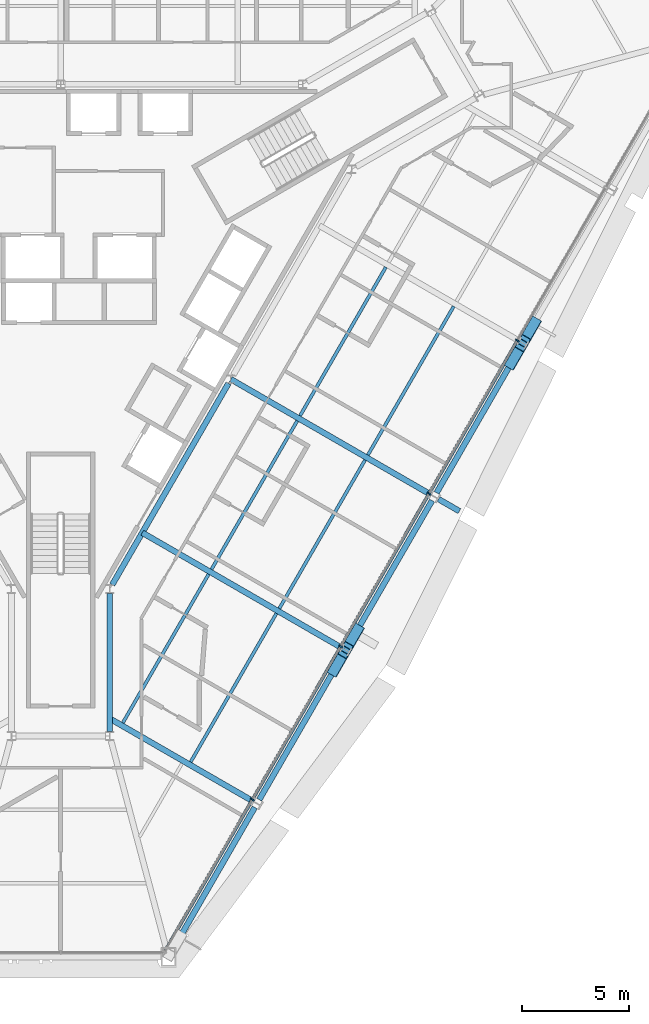
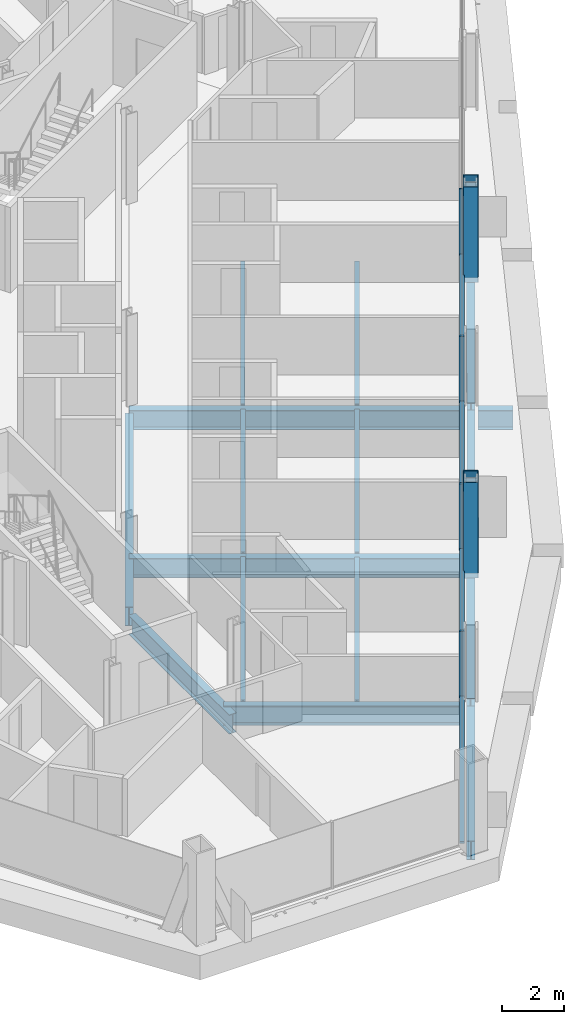
# One storey, part 5 of 17: 16 beams, 12 members, 1 element without a shape of its own.
"""IFC4 building model written with IfcOpenShell, lengths in metres."""

from ifc_helpers import new_model, si_unit, direction, frame, origin, origin_2d, place, context, subcontext, project, spatial, rectangle, hollow_rectangle, i_section, extrude, material, material_profile, profile_set, type_object, element, aggregate, save


model = new_model("IFC4")

# Units and contexts
model_context = context("Model", 3, precision=1e-05, world=origin(), true_north=direction((0.0, 1.0)))
body_context = subcontext(model_context, "Body", "Model", "MODEL_VIEW")
ifc_project = project(units=[si_unit("LENGTHUNIT", "METRE"), si_unit("AREAUNIT", "SQUARE_METRE"), si_unit("VOLUMEUNIT", "CUBIC_METRE"), si_unit("PLANEANGLEUNIT", "RADIAN"), si_unit("MASSUNIT", "GRAM", prefix="KILO")], contexts=[model_context])

# Site, building, storey
site_placement = place(None, origin())
site = spatial("IfcSite", under=ifc_project, at=site_placement, CompositionType="ELEMENT")
building_placement = place(site_placement, origin())
building = spatial("IfcBuilding", under=site, at=building_placement, Name="Verrane Prism Tower", CompositionType="ELEMENT")
storey_placement = place(building_placement, frame((0.0, 0.0, 139.60009765625)))
storey = spatial("IfcBuildingStorey", under=building, at=storey_placement, Name="L34", CompositionType="ELEMENT", Elevation=139.60009765625)

# Beams
ifc_material_1 = material(Name="Steel A992", Category="steel")
ifc_material_profile_1 = material_profile(ifc_material_1, i_section(OverallWidth=0.2666015625, OverallDepth=0.7568359375, WebThickness=0.013916015625, FlangeThickness=0.019287109375, FilletRadius=0.0166015625, at=origin_2d()), Name="W30x108")
ifc_profile_set_1 = profile_set([ifc_material_profile_1], Name="Steel A992")
beam_type_1 = type_object("IfcBeamType", Name="Core ring girder W30x108", PredefinedType="BEAM", material=ifc_profile_set_1)
beam_1_placement = place(storey_placement, frame((2.300048828125, -21.082763671875, -0.628662109375), z_axis=(0.0, 1.0, 0.0), x_axis=(-1.0, 0.0, 0.0)))
element("IfcBeam", 1, at=beam_1_placement, inside=storey, type_object=beam_type_1, Name="Core ring girder L34", PredefinedType="BEAM", context=body_context, shape_type="SweptSolid", body=[
    extrude(i_section(OverallWidth=0.2666015625, OverallDepth=0.7568359375, WebThickness=0.013916015625, FlangeThickness=0.019287109375, FilletRadius=0.0166015625, at=origin_2d()), origin(), (0.0, 0.0, 1.0), 6.46337890625),
])
beam_2_placement = place(storey_placement, frame((2.4150390625, -14.220703125, -0.628662109375), z_axis=(0.500034555306, 0.86600545235, 0.0), x_axis=(-0.86600545235, 0.500034555306, 0.0)))
element("IfcBeam", 2, at=beam_2_placement, inside=storey, type_object=beam_type_1, Name="Core ring girder L34", PredefinedType="BEAM", context=body_context, shape_type="SweptSolid", body=[
    extrude(i_section(OverallWidth=0.2666015625, OverallDepth=0.7568359375, WebThickness=0.013916015625, FlangeThickness=0.019287109375, FilletRadius=0.0166015625, at=origin_2d()), origin(), (0.0, 0.0, 1.0), 10.879150390625),
])

# Members
ifc_material_2 = material(Name="Steel A1085 Grade A", Category="steel")
ifc_material_profile_2 = material_profile(ifc_material_2, hollow_rectangle(XDim=0.508056640625, YDim=0.508056640625, WallThickness=0.025390625, InnerFilletRadius=0.0126953125, OuterFilletRadius=0.0380859375, at=origin_2d()), Name="HSS20x20x1")
ifc_profile_set_2 = profile_set([ifc_material_profile_2], Name="Steel A1085 Grade A")
member_type_1 = type_object("IfcMemberType", Name="Facade brace HSS20x20x1", PredefinedType="BRACE", material=ifc_profile_set_2)
member_1_placement = place(storey_placement, frame((12.794921875, -18.223388671875, -0.24267578125), z_axis=(0.152439385191, 0.265480917351, 0.951988506425), x_axis=(-0.867205599287, 0.497950247079, 0.0)))
element("IfcMember", 3, at=member_1_placement, inside=storey, type_object=member_type_1, Name="Facade brace SE1 L34", PredefinedType="BRACE", context=body_context, shape_type="SweptSolid", body=[
    extrude(hollow_rectangle(XDim=0.508056640625, YDim=0.508056640625, WallThickness=0.025390625, InnerFilletRadius=0.0126953125, OuterFilletRadius=0.0380859375, at=origin_2d()), origin(), (0.0, 0.0, 1.0), 3.222412109375),
])
for number, where, z_axis, x_axis, name in (
    (4, (13.885498046875, -16.336181640625, -0.24267578125), (-0.153191260011, -0.26347987125, 0.952423642767), (0.864499647016, -0.50263342538, 0.0), "Facade brace SE2 L34"),
    (5, (21.085693359375, -3.85498046875, -0.24267578125), (0.15287987781, 0.263844746979, 0.952372664692), (-0.865244706147, 0.501349776587, 0.0), "Facade brace SE3 L34"),
):
    element("IfcMember", number, at=place(storey_placement, frame(where, z_axis=z_axis, x_axis=x_axis)), inside=storey, type_object=member_type_1, Name=name, PredefinedType="BRACE", context=body_context, shape_type="SweptSolid", body=[
        extrude(hollow_rectangle(XDim=0.508056640625, YDim=0.508056640625, WallThickness=0.025390625, InnerFilletRadius=0.0126953125, OuterFilletRadius=0.0380859375, at=origin_2d()), origin(), (0.0, 0.0, 1.0), 3.220947265625),
    ])
member_2_placement = place(storey_placement, frame((22.17529296875, -1.966796875, -0.24267578125), z_axis=(-0.152516455666, -0.265407423844, 0.951996654469), x_axis=(0.867037295615, -0.498243241814, 0.0)))
element("IfcMember", 6, at=member_2_placement, inside=storey, type_object=member_type_1, Name="Facade brace SE4 L34", PredefinedType="BRACE", context=body_context, shape_type="SweptSolid", body=[
    extrude(hollow_rectangle(XDim=0.508056640625, YDim=0.508056640625, WallThickness=0.025390625, InnerFilletRadius=0.0126953125, OuterFilletRadius=0.0380859375, at=origin_2d()), origin(), (0.0, 0.0, 1.0), 3.222412109375),
])

# Beams
ifc_material_3 = material(Name="Steel A992", Category="steel")
ifc_material_profile_3 = material_profile(ifc_material_3, i_section(OverallWidth=0.15234375, OverallDepth=0.449462890625, WebThickness=0.007568359375, FlangeThickness=0.0107421875, FilletRadius=0.01025390625, at=origin_2d()), Name="W18x35")
ifc_profile_set_3 = profile_set([ifc_material_profile_3], Name="Steel A992")
beam_type_2 = type_object("IfcBeamType", Name="Floor beam W18x35", PredefinedType="BEAM", material=ifc_profile_set_3)
beam_3_placement = place(storey_placement, frame((6.0869140625, -22.51318359375, -0.385009765625), z_axis=(0.499983128917, 0.86603514409, 0.0), x_axis=(-0.86603514409, 0.499983128917, 0.0)))
element("IfcBeam", 7, at=beam_3_placement, inside=storey, type_object=beam_type_2, Name="Floor beam L34", PredefinedType="BEAM", context=body_context, shape_type="SweptSolid", body=[
    extrude(i_section(OverallWidth=0.15234375, OverallDepth=0.449462890625, WebThickness=0.007568359375, FlangeThickness=0.0107421875, FilletRadius=0.01025390625, at=origin_2d()), origin(), (0.0, 0.0, 1.0), 8.026123046875),
])
for number, where, z_axis, x_axis, name in (
    (8, (2.913330078125, -20.68017578125, -0.385009765625), (0.499992771462, 0.866029577143, 0.0), (-0.866029577143, 0.499992771462, 0.0), "Floor beam L34"),
    (9, (10.235595703125, -15.33251953125, -0.385009765625), (0.500005942522, 0.86602197284, 0.0), (-0.86602197284, 0.500005942522, 0.0), "Floor beam L34"),
):
    element("IfcBeam", number, at=place(storey_placement, frame(where, z_axis=z_axis, x_axis=x_axis)), inside=storey, type_object=beam_type_2, Name=name, PredefinedType="BEAM", context=body_context, shape_type="SweptSolid", body=[
        extrude(i_section(OverallWidth=0.15234375, OverallDepth=0.449462890625, WebThickness=0.007568359375, FlangeThickness=0.0107421875, FilletRadius=0.01025390625, at=origin_2d()), origin(), (0.0, 0.0, 1.0), 8.0263671875),
    ])
beam_4_placement = place(storey_placement, frame((7.061279296875, -13.498291015625, -0.385009765625), z_axis=(0.499996300355, 0.866027539765, 0.0), x_axis=(-0.866027539765, 0.499996300355, 0.0)))
element("IfcBeam", 10, at=beam_4_placement, inside=storey, type_object=beam_type_2, Name="Floor beam L34", PredefinedType="BEAM", context=body_context, shape_type="SweptSolid", body=[
    extrude(i_section(OverallWidth=0.15234375, OverallDepth=0.449462890625, WebThickness=0.007568359375, FlangeThickness=0.0107421875, FilletRadius=0.01025390625, at=origin_2d()), origin(), (0.0, 0.0, 1.0), 8.02587890625),
])
for number, where, z_axis, x_axis, name in (
    (11, (14.380615234375, -8.1494140625, -0.385009765625), (0.500007577232, 0.866021029023, 0.0), (-0.866021029023, 0.500007577232, 0.0), "Floor beam L34"),
    (12, (11.20458984375, -6.314453125, -0.385009765625), (0.500007577232, 0.866021029023, 0.0), (-0.866021029023, 0.500007577232, 0.0), "Floor beam L34"),
):
    element("IfcBeam", number, at=place(storey_placement, frame(where, z_axis=z_axis, x_axis=x_axis)), inside=storey, type_object=beam_type_2, Name=name, PredefinedType="BEAM", context=body_context, shape_type="SweptSolid", body=[
        extrude(i_section(OverallWidth=0.15234375, OverallDepth=0.449462890625, WebThickness=0.007568359375, FlangeThickness=0.0107421875, FilletRadius=0.01025390625, at=origin_2d()), origin(), (0.0, 0.0, 1.0), 8.02978515625),
    ])

# Curtain wall, members
ifc_material_4 = material(Name="Aluminium framed insulated glazing", Category="aluminium")
curtain_wall_type = type_object("IfcCurtainWallType", Name="Curtain wall CW-A 8400 module", PredefinedType="NOTDEFINED", material=ifc_material_4)
curtain_wall_placement = place(storey_placement, origin())
curtain_wall = element("IfcCurtainWall", 13, at=curtain_wall_placement, inside=storey, type_object=curtain_wall_type, Name="Glazed curtain wall south-east face L34", PredefinedType="NOTDEFINED")
ifc_material_5 = material(Name="Aluminium alloy 6063-T6", Category="aluminium")
ifc_material_profile_4 = material_profile(ifc_material_5, rectangle(XDim=0.199951171875, YDim=0.070068359375, at=origin_2d()), Name="Mullion 70x200 aluminium")
ifc_profile_set_4 = profile_set([ifc_material_profile_4], Name="Aluminium alloy 6063-T6")
member_type_2 = type_object("IfcMemberType", Name="Mullion 70x200 aluminium", PredefinedType="MULLION", material=ifc_profile_set_4)
member_3_placement = place(storey_placement, frame((8.975830078125, -24.275390625, 0.0), z_axis=(0.0, 0.0, 1.0), x_axis=(-0.866025120648, 0.500000490406, 0.0)))
member_3 = element("IfcMember", 14, at=member_3_placement, type_object=member_type_2, Name="CW32.6 mullion 2", PredefinedType="MULLION", context=body_context, shape_type="SweptSolid", body=[
    extrude(rectangle(XDim=0.199951171875, YDim=0.070068359375, at=origin_2d()), origin(), (0.0, 0.0, 1.0), 2.61279296875),
])
member_4_placement = place(storey_placement, frame((13.109619140625, -17.115478515625, 0.0), z_axis=(0.0, 0.0, 1.0), x_axis=(-0.866025120648, 0.500000490406, 0.0)))
member_4 = element("IfcMember", 15, at=member_4_placement, type_object=member_type_2, Name="CW32.6 mullion 3", PredefinedType="MULLION", context=body_context, shape_type="SweptSolid", body=[
    extrude(rectangle(XDim=0.199951171875, YDim=0.070068359375, at=origin_2d()), origin(), (0.0, 0.0, 1.0), 2.61279296875),
])
member_5_placement = place(storey_placement, frame((17.243408203125, -9.95556640625, 0.0), z_axis=(0.0, 0.0, 1.0), x_axis=(-0.866025120648, 0.500000490406, 0.0)))
member_5 = element("IfcMember", 16, at=member_5_placement, type_object=member_type_2, Name="CW32.6 mullion 4", PredefinedType="MULLION", context=body_context, shape_type="SweptSolid", body=[
    extrude(rectangle(XDim=0.199951171875, YDim=0.070068359375, at=origin_2d()), origin(), (0.0, 0.0, 1.0), 2.61279296875),
])
member_6_placement = place(storey_placement, frame((21.377197265625, -2.79541015625, 0.0), z_axis=(0.0, 0.0, 1.0), x_axis=(-0.866025120648, 0.500000490406, 0.0)))
member_6 = element("IfcMember", 17, at=member_6_placement, type_object=member_type_2, Name="CW32.6 mullion 5", PredefinedType="MULLION", context=body_context, shape_type="SweptSolid", body=[
    extrude(rectangle(XDim=0.199951171875, YDim=0.070068359375, at=origin_2d()), origin(), (0.0, 0.0, 1.0), 2.61279296875),
])

# Beams
ifc_material_6 = material(Name="Steel A992", Category="steel")
ifc_material_profile_5 = material_profile(ifc_material_6, i_section(OverallWidth=0.2666015625, OverallDepth=0.76708984375, WebThickness=0.014892578125, FlangeThickness=0.023681640625, FilletRadius=0.0166015625, at=origin_2d()), Name="W30x124")
ifc_profile_set_5 = profile_set([ifc_material_profile_5], Name="Steel A992")
beam_type_3 = type_object("IfcBeamType", Name="Radial girder W30x124", PredefinedType="BEAM", material=ifc_profile_set_5)
beam_5_placement = place(storey_placement, frame((8.9931640625, -24.34619140625, -0.603515625), z_axis=(-0.866039870605, 0.499974941895, 0.0), x_axis=(-0.499974941895, -0.866039870605, 0.0)))
element("IfcBeam", 18, at=beam_5_placement, inside=storey, type_object=beam_type_3, Name="Radial girder L34", PredefinedType="BEAM", context=body_context, shape_type="SweptSolid", body=[
    extrude(i_section(OverallWidth=0.2666015625, OverallDepth=0.76708984375, WebThickness=0.014892578125, FlangeThickness=0.023681640625, FilletRadius=0.0166015625, at=origin_2d()), origin(), (0.0, 0.0, 1.0), 7.728515625),
])
beam_6_placement = place(storey_placement, frame((13.14306640625, -17.166259765625, -0.603515625), z_axis=(-0.86602769501, 0.499996031459, 0.0), x_axis=(-0.499996031459, -0.86602769501, 0.0)))
element("IfcBeam", 19, at=beam_6_placement, inside=storey, type_object=beam_type_3, Name="Radial girder L34", PredefinedType="BEAM", context=body_context, shape_type="SweptSolid", body=[
    extrude(i_section(OverallWidth=0.2666015625, OverallDepth=0.76708984375, WebThickness=0.014892578125, FlangeThickness=0.023681640625, FilletRadius=0.0166015625, at=origin_2d()), origin(), (0.0, 0.0, 1.0), 10.76318359375),
])
beam_7_placement = place(storey_placement, frame((17.293212890625, -9.986328125, -0.603515625), z_axis=(-0.866028508142, 0.499994623057, 0.0), x_axis=(-0.499994623057, -0.866028508142, 0.0)))
element("IfcBeam", 20, at=beam_7_placement, inside=storey, type_object=beam_type_3, Name="Radial girder L34", PredefinedType="BEAM", context=body_context, shape_type="SweptSolid", body=[
    extrude(i_section(OverallWidth=0.2666015625, OverallDepth=0.76708984375, WebThickness=0.014892578125, FlangeThickness=0.023681640625, FilletRadius=0.0166015625, at=origin_2d()), origin(), (0.0, 0.0, 1.0), 10.76708984375),
])
beam_8_placement = place(storey_placement, frame((17.683349609375, -10.211669921875, -0.603515625), z_axis=(0.866031132047, -0.499990078228, 0.0), x_axis=(0.499990078228, 0.866031132047, 0.0)))
element("IfcBeam", 21, at=beam_8_placement, inside=storey, type_object=beam_type_3, Name="Cantilever girder L34", PredefinedType="BEAM", context=body_context, shape_type="SweptSolid", body=[
    extrude(i_section(OverallWidth=0.2666015625, OverallDepth=0.76708984375, WebThickness=0.014892578125, FlangeThickness=0.023681640625, FilletRadius=0.0166015625, at=origin_2d()), origin(), (0.0, 0.0, 1.0), 1.1318359375),
])
ifc_material_7 = material(Name="Steel A992", Category="steel")
ifc_material_profile_6 = material_profile(ifc_material_7, i_section(OverallWidth=0.2666015625, OverallDepth=0.7568359375, WebThickness=0.013916015625, FlangeThickness=0.019287109375, FilletRadius=0.0166015625, at=origin_2d()), Name="W30x108")
ifc_profile_set_6 = profile_set([ifc_material_profile_6], Name="Steel A992")
beam_type_4 = type_object("IfcBeamType", Name="Spandrel beam W30x108", PredefinedType="SPANDREL", material=ifc_profile_set_6)
beam_9_placement = place(storey_placement, frame((5.3095703125, -31.18994140625, -0.53857421875), z_axis=(0.499498748006, 0.866314608408, 0.0), x_axis=(-0.866314608408, 0.499498748006, 0.0)))
element("IfcBeam", 22, at=beam_9_placement, inside=storey, type_object=beam_type_4, Name="Spandrel beam L34", PredefinedType="SPANDREL", context=body_context, shape_type="SweptSolid", body=[
    extrude(i_section(OverallWidth=0.2666015625, OverallDepth=0.7568359375, WebThickness=0.013916015625, FlangeThickness=0.019287109375, FilletRadius=0.0166015625, at=origin_2d()), origin(), (0.0, 0.0, 1.0), 7.558837890625),
])
for number, where, z_axis, x_axis, name in (
    (23, (9.294921875, -24.278564453125, -0.53857421875), (0.500410353056, 0.865788356675, 0.0), (-0.865788356675, 0.500410353056, 0.0), "Spandrel beam L34"),
    (24, (13.44482421875, -17.0986328125, -0.53857421875), (0.500410353056, 0.865788356675, 0.0), (-0.865788356675, 0.500410353056, 0.0), "Spandrel beam L34"),
):
    element("IfcBeam", number, at=place(storey_placement, frame(where, z_axis=z_axis, x_axis=x_axis)), inside=storey, type_object=beam_type_4, Name=name, PredefinedType="SPANDREL", context=body_context, shape_type="SweptSolid", body=[
        extrude(i_section(OverallWidth=0.2666015625, OverallDepth=0.7568359375, WebThickness=0.013916015625, FlangeThickness=0.019287109375, FilletRadius=0.0166015625, at=origin_2d()), origin(), (0.0, 0.0, 1.0), 7.8740234375),
    ])
beam_10_placement = place(storey_placement, frame((17.594482421875, -9.91845703125, -0.53857421875), z_axis=(0.49898983609, 0.86660783719, 0.0), x_axis=(-0.86660783719, 0.49898983609, 0.0)))
element("IfcBeam", 25, at=beam_10_placement, inside=storey, type_object=beam_type_4, Name="Spandrel beam L34", PredefinedType="SPANDREL", context=body_context, shape_type="SweptSolid", body=[
    extrude(i_section(OverallWidth=0.2666015625, OverallDepth=0.7568359375, WebThickness=0.013916015625, FlangeThickness=0.019287109375, FilletRadius=0.0166015625, at=origin_2d()), origin(), (0.0, 0.0, 1.0), 7.877685546875),
])

# Member
ifc_material_8 = material(Name="Aluminium alloy 6063-T6", Category="aluminium")
ifc_material_profile_7 = material_profile(ifc_material_8, rectangle(XDim=0.14990234375, YDim=0.070068359375, at=origin_2d()), Name="Transom 70x150 aluminium")
ifc_profile_set_7 = profile_set([ifc_material_profile_7], Name="Aluminium alloy 6063-T6")
member_type_3 = type_object("IfcMemberType", Name="Transom 70x150 aluminium", PredefinedType="USERDEFINED", material=ifc_profile_set_7)
member_7_placement = place(storey_placement, frame((4.876953125, -31.375, 0.034912109375), z_axis=(0.499996028522, 0.866027696706, 0.0), x_axis=(-0.866027696706, 0.499996028522, 0.0)))
member_7 = element("IfcMember", 26, at=member_7_placement, type_object=member_type_3, Name="CW32.6 transom 1", ObjectType="TRANSOM", PredefinedType="USERDEFINED", context=body_context, shape_type="SweptSolid", body=[
    extrude(rectangle(XDim=0.14990234375, YDim=0.070068359375, at=origin_2d()), origin(), (0.0, 0.0, 1.0), 8.16259765625),
])

member_8_placement = place(storey_placement, frame((8.9931640625, -24.2451171875, 0.034912109375), z_axis=(0.500005171338, 0.866022418091, 0.0), x_axis=(-0.866022418091, 0.500005171338, 0.0)))
member_8 = element("IfcMember", 27, at=member_8_placement, type_object=member_type_3, Name="CW32.6 transom 2", ObjectType="TRANSOM", PredefinedType="USERDEFINED", context=body_context, shape_type="SweptSolid", body=[
    extrude(rectangle(XDim=0.14990234375, YDim=0.070068359375, at=origin_2d()), origin(), (0.0, 0.0, 1.0), 8.19775390625),
])

member_9_placement = place(storey_placement, frame((13.126953125, -17.085205078125, 0.034912109375), z_axis=(0.500005171338, 0.866022418091, 0.0), x_axis=(-0.866022418091, 0.500005171338, 0.0)))
member_9 = element("IfcMember", 28, at=member_9_placement, type_object=member_type_3, Name="CW32.6 transom 3", ObjectType="TRANSOM", PredefinedType="USERDEFINED", context=body_context, shape_type="SweptSolid", body=[
    extrude(rectangle(XDim=0.14990234375, YDim=0.070068359375, at=origin_2d()), origin(), (0.0, 0.0, 1.0), 8.19775390625),
])

member_10_placement = place(storey_placement, frame((17.260986328125, -9.92529296875, 0.034912109375), z_axis=(0.499982834708, 0.866035313943, 0.0), x_axis=(-0.866035313943, 0.499982834708, 0.0)))
member_10 = element("IfcMember", 29, at=member_10_placement, type_object=member_type_3, Name="CW32.6 transom 4", ObjectType="TRANSOM", PredefinedType="USERDEFINED", context=body_context, shape_type="SweptSolid", body=[
    extrude(rectangle(XDim=0.14990234375, YDim=0.070068359375, at=origin_2d()), origin(), (0.0, 0.0, 1.0), 8.197509765625),
])

aggregate(curtain_wall, [member_3, member_4, member_5, member_6, member_7, member_8, member_9, member_10])

save(model, "model.ifc")
